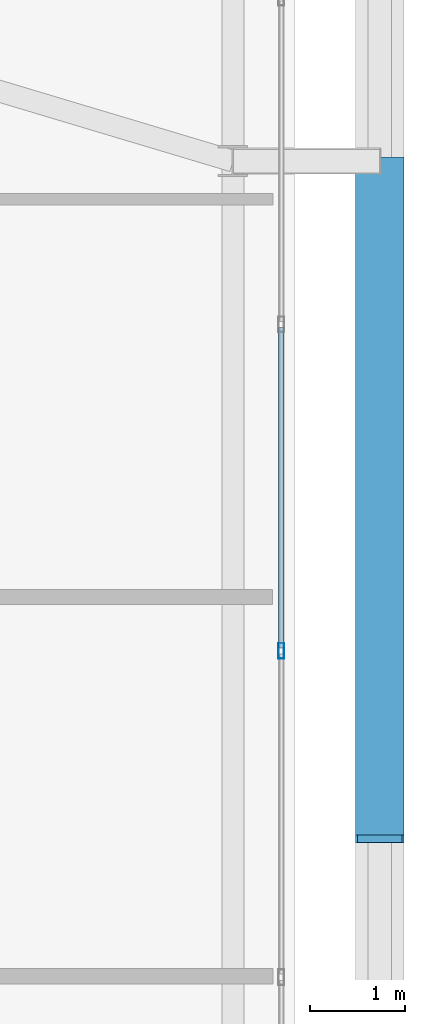
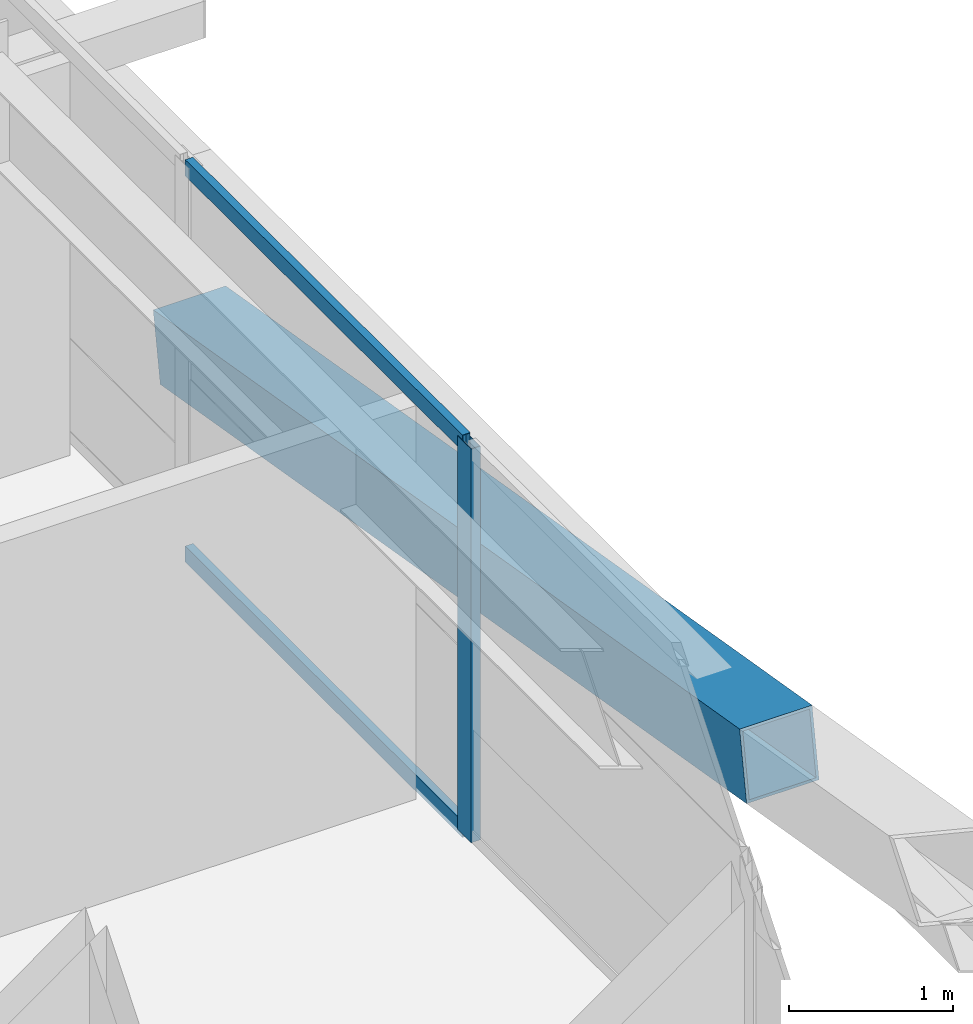
# One storey, part 28 of 59: 4 members, 1 element without a shape of its own.
"""IFC4 building model written with IfcOpenShell, lengths in metres."""

from ifc_helpers import new_model, si_unit, direction, frame, origin, origin_2d, place, context, subcontext, project, spatial, hollow_rectangle, extrude, source, transform, mapped, material, layer, layer_set, material_profile, profile_set, type_object, element, aggregate, save


model = new_model("IFC4")

# Units and contexts
model_context = context("Model", 3, precision=1e-05, world=origin(), true_north=direction((0.0, 1.0)))
body_context = subcontext(model_context, "Body", "Model", "MODEL_VIEW")
ifc_project = project(units=[si_unit("LENGTHUNIT", "METRE"), si_unit("AREAUNIT", "SQUARE_METRE"), si_unit("VOLUMEUNIT", "CUBIC_METRE"), si_unit("PLANEANGLEUNIT", "RADIAN"), si_unit("MASSUNIT", "GRAM", prefix="KILO")], contexts=[model_context])

# Site, building, storey
site_placement = place(None, origin())
site = spatial("IfcSite", under=ifc_project, at=site_placement, CompositionType="ELEMENT")
building_placement = place(site_placement, origin())
building = spatial("IfcBuilding", under=site, at=building_placement, Name="Taldren Reach Tower", CompositionType="ELEMENT")
storey_placement = place(building_placement, frame((0.0, 0.0, 19.949951171875)))
storey = spatial("IfcBuildingStorey", under=building, at=storey_placement, Name="L05", CompositionType="ELEMENT", Elevation=19.949951171875)

# Member
ifc_material_1 = material(Name="Steel Gr 450 (C450L0)", Category="steel")
ifc_material_profile_1 = material_profile(ifc_material_1, hollow_rectangle(XDim=0.510009765625, YDim=0.510009765625, WallThickness=0.02001953125, at=origin_2d()), Name="510x510x20.0SHS")
ifc_profile_set_1 = profile_set([ifc_material_profile_1], Name="Steel Gr 450 (C450L0)")
member_type_1 = type_object("IfcMemberType", Name="MB-EXO508", PredefinedType="BRACE", material=ifc_profile_set_1)
shared_shape_1 = source(origin(), body_context, "Body", "SweptSolid", [
    extrude(hollow_rectangle(XDim=0.510009765625, YDim=0.510009765625, WallThickness=0.02001953125, at=origin_2d()), origin(), (0.0, 0.0, 1.0), 7.25244140625),
])
member_1_placement = place(storey_placement, frame((65.89990234375, 20.0, 0.219970703125), z_axis=(0.0, -0.985864855729, 0.167542490848), x_axis=(1.0, 0.0, 0.0)))
element("IfcMember", 1, at=member_1_placement, inside=storey, type_object=member_type_1, Name="Exoskeleton Diagrid Brace B1-E1 L05", PredefinedType="BRACE", context=body_context, shape_type="MappedRepresentation", body=[
    mapped(shared_shape_1, transform((0.0, 0.0, 0.0), scale=1.0)),
])

# Curtain wall, members
ifc_material_2 = material(Name="Aluminium and Low-E Glass Unitised System", Category="aluminium")
ifc_layer = layer(ifc_material_2, 0.159912109375)
ifc_layer_set = layer_set([ifc_layer], Name="Aluminium and Low-E Glass Unitised System")
curtain_wall_type = type_object("IfcCurtainWallType", Name="CW-SYS-2", PredefinedType="NOTDEFINED", material=ifc_layer_set)
curtain_wall_placement = place(storey_placement, origin())
curtain_wall = element("IfcCurtainWall", 2, at=curtain_wall_placement, inside=storey, type_object=curtain_wall_type, Name="Unitised curtain wall CW-L05-E", PredefinedType="NOTDEFINED")
ifc_material_3 = material(Name="Anodised Aluminium 6063-T6", Category="aluminium")
ifc_material_profile_2 = material_profile(ifc_material_3, hollow_rectangle(XDim=0.06494140625, YDim=0.1650390625, WallThickness=0.00390625, at=origin_2d()), Name="ALU-165x65x4RHS")
ifc_profile_set_2 = profile_set([ifc_material_profile_2], Name="Anodised Aluminium 6063-T6")
member_type_2 = type_object("IfcMemberType", Name="CW-MUL-165", PredefinedType="MULLION", material=ifc_profile_set_2)
shared_shape_2 = source(origin(), body_context, "Body", "SweptSolid", [
    extrude(hollow_rectangle(XDim=0.06494140625, YDim=0.1650390625, WallThickness=0.00390625, at=origin_2d()), origin(), (0.0, 0.0, 1.0), 2.929931640625),
])
member_2_placement = place(storey_placement, frame((64.860107421875, 14.833251953125, 0.0), z_axis=(0.0, 0.0, 1.0), x_axis=(-1.0, 0.0, 0.0)))
member_2 = element("IfcMember", 3, at=member_2_placement, type_object=member_type_2, Name="CW-2 mullion 4", PredefinedType="MULLION", context=body_context, shape_type="MappedRepresentation", body=[
    mapped(shared_shape_2, transform((0.0, 0.0, 0.0), scale=1.0)),
])
ifc_material_profile_3 = material_profile(ifc_material_3, hollow_rectangle(XDim=0.054931640625, YDim=0.1201171875, WallThickness=0.0029296875, at=origin_2d()), Name="ALU-120x55x3RHS")
ifc_profile_set_3 = profile_set([ifc_material_profile_3], Name="Anodised Aluminium 6063-T6")
member_type_3 = type_object("IfcMemberType", Name="CW-TRN-135", PredefinedType="USERDEFINED", material=ifc_profile_set_3)
shared_shape_3 = source(origin(), body_context, "Body", "SweptSolid", [
    extrude(hollow_rectangle(XDim=0.054931640625, YDim=0.1201171875, WallThickness=0.0029296875, at=origin_2d()), origin(), (0.0, 0.0, 1.0), 3.379638671875),
])
member_3_placement = place(storey_placement, frame((64.860107421875, 14.86572265625, 0.027587890625), z_axis=(0.0, 1.0, 0.0), x_axis=(-1.0, 0.0, 0.0)))
member_3 = element("IfcMember", 4, at=member_3_placement, type_object=member_type_3, Name="CW-2 transom 4.1", ObjectType="TRANSOM", PredefinedType="USERDEFINED", context=body_context, shape_type="MappedRepresentation", body=[
    mapped(shared_shape_3, transform((0.0, 0.0, 0.0), scale=1.0)),
])
member_4_placement = place(storey_placement, frame((64.860107421875, 14.86572265625, 2.902587890625), z_axis=(0.0, 1.0, 0.0), x_axis=(-1.0, 0.0, 0.0)))
member_4 = element("IfcMember", 5, at=member_4_placement, type_object=member_type_3, Name="CW-2 transom 4.2", ObjectType="TRANSOM", PredefinedType="USERDEFINED", context=body_context, shape_type="MappedRepresentation", body=[
    mapped(shared_shape_3, transform((0.0, 0.0, 0.0), scale=1.0)),
])
aggregate(curtain_wall, [member_2, member_3, member_4])

save(model, "model.ifc")
